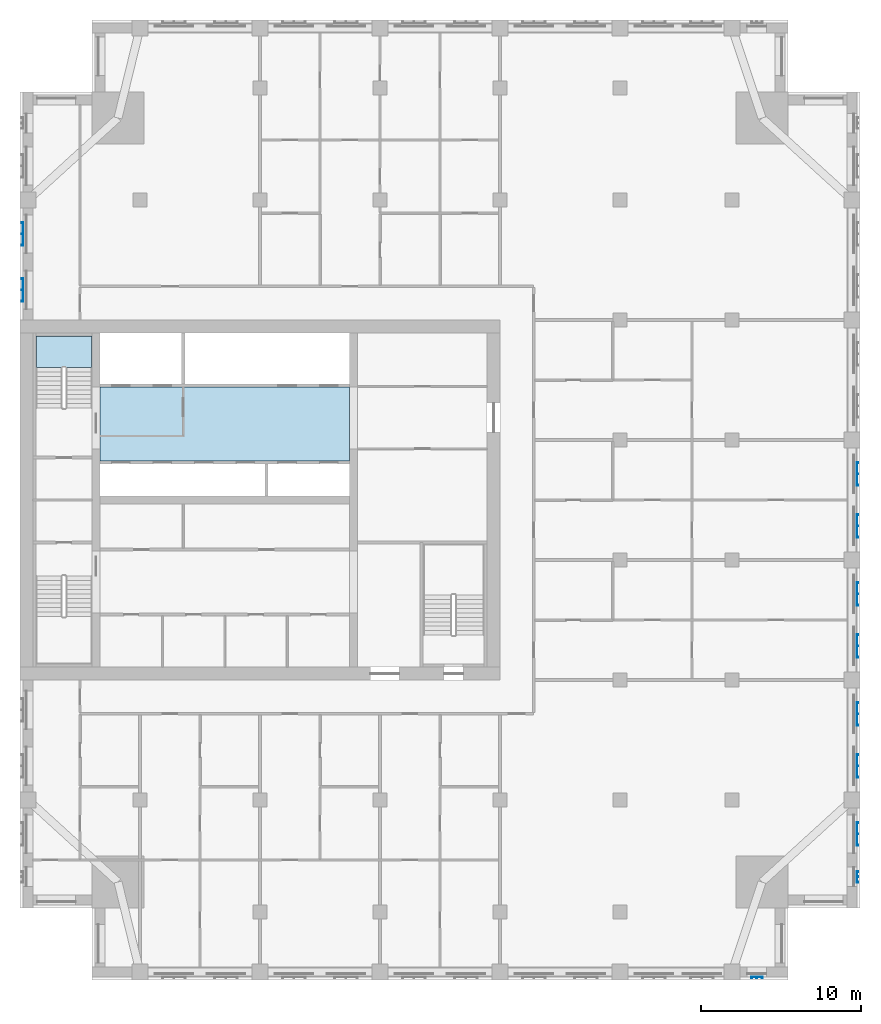
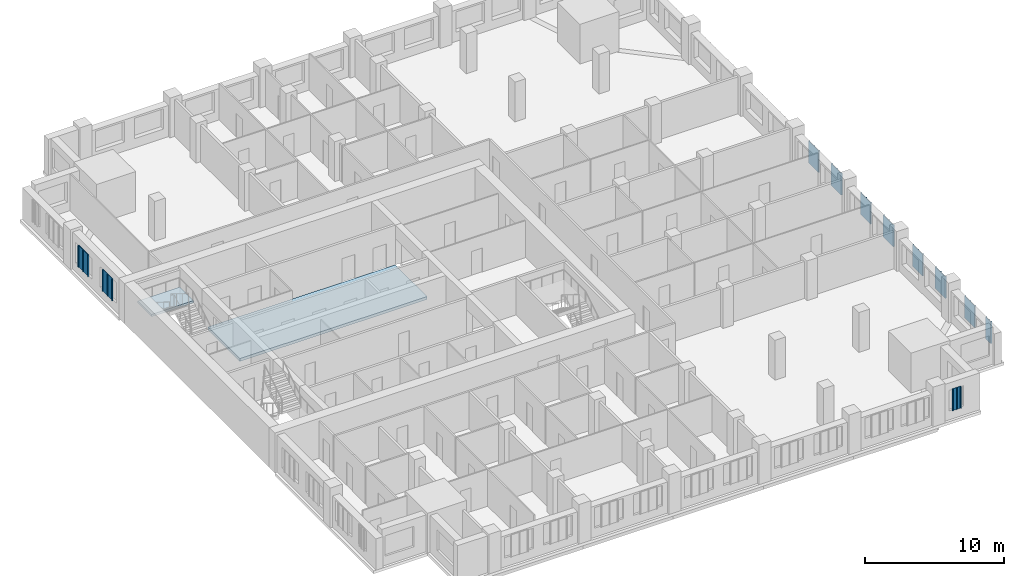
# One storey, part 4 of 14: 11 plates, 2 slabs, 1 element without a shape of its own.
"""IFC4 building model written with IfcOpenShell, lengths in metres."""

from ifc_helpers import new_model, si_unit, direction, frame, origin, place, context, subcontext, project, spatial, polyline, outline, extrude, material, layer, layer_set, type_object, element, aggregate, save


model = new_model("IFC4")

# Units and contexts
model_context = context("Model", 3, precision=1e-05, world=origin(), true_north=direction((0.0, 1.0)))
body_context = subcontext(model_context, "Body", "Model", "MODEL_VIEW")
ifc_project = project(units=[si_unit("LENGTHUNIT", "METRE"), si_unit("AREAUNIT", "SQUARE_METRE"), si_unit("VOLUMEUNIT", "CUBIC_METRE"), si_unit("PLANEANGLEUNIT", "RADIAN"), si_unit("MASSUNIT", "GRAM", prefix="KILO")], contexts=[model_context])

# Site, building, storey
site_placement = place(None, origin())
site = spatial("IfcSite", under=ifc_project, at=site_placement, CompositionType="ELEMENT")
building_placement = place(site_placement, origin())
building = spatial("IfcBuilding", under=site, at=building_placement, Name="Tamorin Gate", CompositionType="ELEMENT")
storey_placement = place(building_placement, frame((0.0, 0.0, 200.199951171875)))
storey = spatial("IfcBuildingStorey", under=building, at=storey_placement, Name="L49", CompositionType="ELEMENT", Elevation=200.199951171875)

# Slab
ifc_material_1 = material(Name="Concrete C40/50", Category="concrete")
ifc_layer_1 = layer(ifc_material_1, 0.25)
ifc_layer_set_1 = layer_set([ifc_layer_1], Name="Core floor slab 250 C40/50")
slab_type_1 = type_object("IfcSlabType", Name="Core floor slab 250 C40/50", PredefinedType="FLOOR", material=ifc_layer_set_1)
slab_1_placement = place(storey_placement, frame((0.0, 0.0, -0.25)))
element("IfcSlab", 1, at=slab_1_placement, inside=storey, type_object=slab_type_1, Name="Core floor L49", PredefinedType="FLOOR", context=body_context, shape_type="SweptSolid", body=[
    extrude(outline(polyline([(50.60009765625, 73.699951171875), (35.0, 73.699951171875), (35.0, 78.300048828125), (50.60009765625, 78.300048828125), (50.60009765625, 73.699951171875)])), origin(), (0.0, 0.0, 1.0), 0.25),
])

# Stair, slab
stair_type = type_object("IfcStairType", Name="Exit stair", PredefinedType="HALF_TURN_STAIR", material=ifc_material_1)
stair_placement = place(storey_placement, origin())
stair = element("IfcStair", 2, at=stair_placement, inside=storey, type_object=stair_type, Name="L49 stair ST2", PredefinedType="HALF_TURN_STAIR")
ifc_layer_2 = layer(ifc_material_1, 0.199951171875)
ifc_layer_set_2 = layer_set([ifc_layer_2], Name="Exit stair landing 200")
slab_type_2 = type_object("IfcSlabType", Name="Exit stair landing 200", PredefinedType="LANDING", material=ifc_layer_set_2)
slab_2_placement = place(storey_placement, frame((0.0, 0.0, 1.550048828125)))
slab_2 = element("IfcSlab", 3, at=slab_2_placement, type_object=slab_type_2, Name="ST2 landing 1", PredefinedType="LANDING", context=body_context, shape_type="SweptSolid", body=[
    extrude(outline(polyline([(34.5, 79.52001953125), (34.5, 81.5), (31.0, 81.5), (31.0, 79.52001953125), (34.5, 79.52001953125)])), origin(), (0.0, 0.0, 1.0), 0.199951171875),
])
aggregate(stair, [slab_2])

# Plates
ifc_material_2 = material(Name="Perforated pale aluminium sheet", Category="aluminium")
ifc_layer_3 = layer(ifc_material_2, 0.0400390625)
ifc_layer_set_3 = layer_set([ifc_layer_3], Name="Pale metal solar screen 1440")
plate_type_1 = type_object("IfcPlateType", Name="Pale metal solar screen 1440", PredefinedType="SHEET", material=ifc_layer_set_3)
plate_1_placement = place(storey_placement, frame((0.0, 0.0, 0.737548828125)))
element("IfcPlate", 4, at=plate_1_placement, inside=storey, type_object=plate_type_1, Name="Perforated solar screen", PredefinedType="SHEET", context=body_context, shape_type="SweptSolid", body=[
    extrude(outline(polyline([(82.340087890625, 49.655029296875), (82.300048828125, 49.655029296875), (82.300048828125, 49.715087890625), (82.300048828125, 50.344970703125), (82.300048828125, 50.405029296875), (82.300048828125, 51.034912109375), (82.300048828125, 51.094970703125), (82.300048828125, 51.094970703125), (82.340087890625, 51.094970703125), (82.340087890625, 51.094970703125), (82.39990234375, 51.094970703125), (82.39990234375, 51.034912109375), (82.340087890625, 51.034912109375), (82.340087890625, 50.405029296875), (82.39990234375, 50.405029296875), (82.39990234375, 50.344970703125), (82.340087890625, 50.344970703125), (82.340087890625, 49.715087890625), (82.39990234375, 49.715087890625), (82.39990234375, 49.655029296875), (82.340087890625, 49.655029296875)])), origin(), (0.0, 0.0, 1.0), 1.925048828125),
])
plate_2_placement = place(storey_placement, frame((0.0, 0.0, 0.737548828125)))
element("IfcPlate", 5, at=plate_2_placement, inside=storey, type_object=plate_type_1, Name="Perforated solar screen", PredefinedType="SHEET", context=body_context, shape_type="SweptSolid", body=[
    extrude(outline(polyline([(82.340087890625, 53.905029296875), (82.300048828125, 53.905029296875), (82.300048828125, 53.965087890625), (82.300048828125, 54.594970703125), (82.300048828125, 54.655029296875), (82.300048828125, 55.284912109375), (82.300048828125, 55.344970703125), (82.340087890625, 55.344970703125), (82.39990234375, 55.344970703125), (82.39990234375, 55.284912109375), (82.340087890625, 55.284912109375), (82.340087890625, 54.655029296875), (82.39990234375, 54.655029296875), (82.39990234375, 54.594970703125), (82.340087890625, 54.594970703125), (82.340087890625, 53.965087890625), (82.39990234375, 53.965087890625), (82.39990234375, 53.905029296875), (82.340087890625, 53.905029296875)])), origin(), (0.0, 0.0, 1.0), 1.925048828125),
])
plate_3_placement = place(storey_placement, frame((0.0, 0.0, 0.737548828125)))
element("IfcPlate", 6, at=plate_3_placement, inside=storey, type_object=plate_type_1, Name="Perforated solar screen", PredefinedType="SHEET", context=body_context, shape_type="SweptSolid", body=[
    extrude(outline(polyline([(82.340087890625, 57.155029296875), (82.300048828125, 57.155029296875), (82.300048828125, 57.215087890625), (82.300048828125, 57.844970703125), (82.300048828125, 57.905029296875), (82.300048828125, 58.534912109375), (82.300048828125, 58.594970703125), (82.340087890625, 58.594970703125), (82.39990234375, 58.594970703125), (82.39990234375, 58.534912109375), (82.340087890625, 58.534912109375), (82.340087890625, 57.905029296875), (82.39990234375, 57.905029296875), (82.39990234375, 57.844970703125), (82.340087890625, 57.844970703125), (82.340087890625, 57.215087890625), (82.39990234375, 57.215087890625), (82.39990234375, 57.155029296875), (82.340087890625, 57.155029296875)])), origin(), (0.0, 0.0, 1.0), 1.925048828125),
])
plate_4_placement = place(storey_placement, frame((0.0, 0.0, 0.737548828125)))
element("IfcPlate", 7, at=plate_4_placement, inside=storey, type_object=plate_type_1, Name="Perforated solar screen", PredefinedType="SHEET", context=body_context, shape_type="SweptSolid", body=[
    extrude(outline(polyline([(82.340087890625, 61.405029296875), (82.300048828125, 61.405029296875), (82.300048828125, 61.465087890625), (82.300048828125, 62.094970703125), (82.300048828125, 62.155029296875), (82.300048828125, 62.784912109375), (82.300048828125, 62.844970703125), (82.340087890625, 62.844970703125), (82.39990234375, 62.844970703125), (82.39990234375, 62.784912109375), (82.340087890625, 62.784912109375), (82.340087890625, 62.155029296875), (82.39990234375, 62.155029296875), (82.39990234375, 62.094970703125), (82.340087890625, 62.094970703125), (82.340087890625, 61.465087890625), (82.39990234375, 61.465087890625), (82.39990234375, 61.405029296875), (82.340087890625, 61.405029296875)])), origin(), (0.0, 0.0, 1.0), 1.925048828125),
])
plate_5_placement = place(storey_placement, frame((0.0, 0.0, 0.737548828125)))
element("IfcPlate", 8, at=plate_5_placement, inside=storey, type_object=plate_type_1, Name="Perforated solar screen", PredefinedType="SHEET", context=body_context, shape_type="SweptSolid", body=[
    extrude(outline(polyline([(82.340087890625, 64.655029296875), (82.300048828125, 64.655029296875), (82.300048828125, 64.715087890625), (82.300048828125, 65.344970703125), (82.300048828125, 65.405029296875), (82.300048828125, 66.034912109375), (82.300048828125, 66.094970703125), (82.340087890625, 66.094970703125), (82.39990234375, 66.094970703125), (82.39990234375, 66.034912109375), (82.340087890625, 66.034912109375), (82.340087890625, 65.405029296875), (82.39990234375, 65.405029296875), (82.39990234375, 65.344970703125), (82.340087890625, 65.344970703125), (82.340087890625, 64.715087890625), (82.39990234375, 64.715087890625), (82.39990234375, 64.655029296875), (82.340087890625, 64.655029296875)])), origin(), (0.0, 0.0, 1.0), 1.925048828125),
])
plate_6_placement = place(storey_placement, frame((0.0, 0.0, 0.737548828125)))
element("IfcPlate", 9, at=plate_6_placement, inside=storey, type_object=plate_type_1, Name="Perforated solar screen", PredefinedType="SHEET", context=body_context, shape_type="SweptSolid", body=[
    extrude(outline(polyline([(82.340087890625, 68.905029296875), (82.300048828125, 68.905029296875), (82.300048828125, 68.965087890625), (82.300048828125, 69.594970703125), (82.300048828125, 69.655029296875), (82.300048828125, 70.284912109375), (82.300048828125, 70.344970703125), (82.340087890625, 70.344970703125), (82.39990234375, 70.344970703125), (82.39990234375, 70.284912109375), (82.340087890625, 70.284912109375), (82.340087890625, 69.655029296875), (82.39990234375, 69.655029296875), (82.39990234375, 69.594970703125), (82.340087890625, 69.594970703125), (82.340087890625, 68.965087890625), (82.39990234375, 68.965087890625), (82.39990234375, 68.905029296875), (82.340087890625, 68.905029296875)])), origin(), (0.0, 0.0, 1.0), 1.925048828125),
])
plate_7_placement = place(storey_placement, frame((0.0, 0.0, 0.737548828125)))
element("IfcPlate", 10, at=plate_7_placement, inside=storey, type_object=plate_type_1, Name="Perforated solar screen", PredefinedType="SHEET", context=body_context, shape_type="SweptSolid", body=[
    extrude(outline(polyline([(82.340087890625, 72.155029296875), (82.300048828125, 72.155029296875), (82.300048828125, 72.215087890625), (82.300048828125, 72.844970703125), (82.300048828125, 72.905029296875), (82.300048828125, 73.534912109375), (82.300048828125, 73.594970703125), (82.340087890625, 73.594970703125), (82.39990234375, 73.594970703125), (82.39990234375, 73.534912109375), (82.340087890625, 73.534912109375), (82.340087890625, 72.905029296875), (82.39990234375, 72.905029296875), (82.39990234375, 72.844970703125), (82.340087890625, 72.844970703125), (82.340087890625, 72.215087890625), (82.39990234375, 72.215087890625), (82.39990234375, 72.155029296875), (82.340087890625, 72.155029296875)])), origin(), (0.0, 0.0, 1.0), 1.925048828125),
])
plate_8_placement = place(storey_placement, frame((0.0, 0.0, 0.737548828125)))
element("IfcPlate", 11, at=plate_8_placement, inside=storey, type_object=plate_type_1, Name="Perforated solar screen", PredefinedType="SHEET", context=body_context, shape_type="SweptSolid", body=[
    extrude(outline(polyline([(30.159912109375, 85.094970703125), (30.199951171875, 85.094970703125), (30.199951171875, 85.034912109375), (30.199951171875, 84.405029296875), (30.199951171875, 84.344970703125), (30.199951171875, 83.715087890625), (30.199951171875, 83.655029296875), (30.159912109375, 83.655029296875), (30.10009765625, 83.655029296875), (30.10009765625, 83.715087890625), (30.159912109375, 83.715087890625), (30.159912109375, 84.344970703125), (30.10009765625, 84.344970703125), (30.10009765625, 84.405029296875), (30.159912109375, 84.405029296875), (30.159912109375, 85.034912109375), (30.10009765625, 85.034912109375), (30.10009765625, 85.094970703125), (30.159912109375, 85.094970703125)])), origin(), (0.0, 0.0, 1.0), 1.925048828125),
])
plate_9_placement = place(storey_placement, frame((0.0, 0.0, 0.737548828125)))
element("IfcPlate", 12, at=plate_9_placement, inside=storey, type_object=plate_type_1, Name="Perforated solar screen", PredefinedType="SHEET", context=body_context, shape_type="SweptSolid", body=[
    extrude(outline(polyline([(30.159912109375, 88.594970703125), (30.199951171875, 88.594970703125), (30.199951171875, 88.534912109375), (30.199951171875, 87.905029296875), (30.199951171875, 87.844970703125), (30.199951171875, 87.215087890625), (30.199951171875, 87.155029296875), (30.159912109375, 87.155029296875), (30.10009765625, 87.155029296875), (30.10009765625, 87.215087890625), (30.159912109375, 87.215087890625), (30.159912109375, 87.844970703125), (30.10009765625, 87.844970703125), (30.10009765625, 87.905029296875), (30.159912109375, 87.905029296875), (30.159912109375, 88.534912109375), (30.10009765625, 88.534912109375), (30.10009765625, 88.594970703125), (30.159912109375, 88.594970703125)])), origin(), (0.0, 0.0, 1.0), 1.925048828125),
])
ifc_layer_4 = layer(ifc_material_2, 0.0400390625)
ifc_layer_set_4 = layer_set([ifc_layer_4], Name="Pale metal solar screen 720")
plate_type_2 = type_object("IfcPlateType", Name="Pale metal solar screen 720", PredefinedType="SHEET", material=ifc_layer_set_4)
plate_10_placement = place(storey_placement, frame((0.0, 0.0, 0.737548828125)))
element("IfcPlate", 13, at=plate_10_placement, inside=storey, type_object=plate_type_2, Name="Perforated solar screen", PredefinedType="SHEET", context=body_context, shape_type="SweptSolid", body=[
    extrude(outline(polyline([(75.68994140625, 41.409912109375), (75.68994140625, 41.449951171875), (75.75, 41.449951171875), (76.02001953125, 41.449951171875), (76.080078125, 41.449951171875), (76.35009765625, 41.449951171875), (76.409912109375, 41.449951171875), (76.409912109375, 41.409912109375), (76.409912109375, 41.35009765625), (76.35009765625, 41.35009765625), (76.35009765625, 41.409912109375), (76.080078125, 41.409912109375), (76.080078125, 41.35009765625), (76.02001953125, 41.35009765625), (76.02001953125, 41.409912109375), (75.75, 41.409912109375), (75.75, 41.35009765625), (75.68994140625, 41.35009765625), (75.68994140625, 41.409912109375)])), origin(), (0.0, 0.0, 1.0), 1.925048828125),
])
plate_11_placement = place(storey_placement, frame((0.0, 0.0, 0.737548828125)))
element("IfcPlate", 14, at=plate_11_placement, inside=storey, type_object=plate_type_2, Name="Perforated solar screen", PredefinedType="SHEET", context=body_context, shape_type="SweptSolid", body=[
    extrude(outline(polyline([(82.340087890625, 47.340087890625), (82.300048828125, 47.340087890625), (82.300048828125, 47.39990234375), (82.300048828125, 47.669921875), (82.300048828125, 47.72998046875), (82.300048828125, 48.0), (82.300048828125, 48.06005859375), (82.340087890625, 48.06005859375), (82.39990234375, 48.06005859375), (82.39990234375, 48.0), (82.340087890625, 48.0), (82.340087890625, 47.72998046875), (82.39990234375, 47.72998046875), (82.39990234375, 47.669921875), (82.340087890625, 47.669921875), (82.340087890625, 47.39990234375), (82.39990234375, 47.39990234375), (82.39990234375, 47.340087890625), (82.340087890625, 47.340087890625)])), origin(), (0.0, 0.0, 1.0), 1.925048828125),
])

save(model, "model.ifc")
